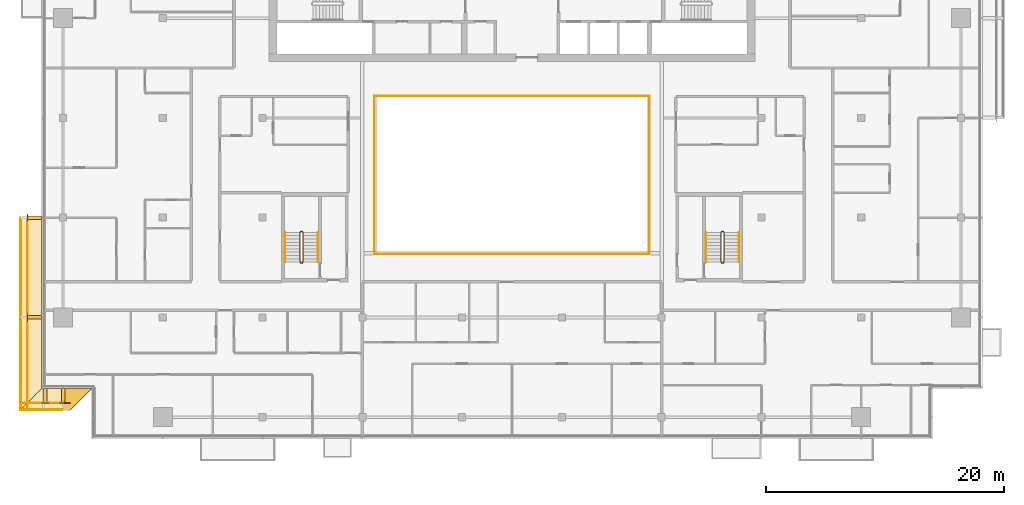
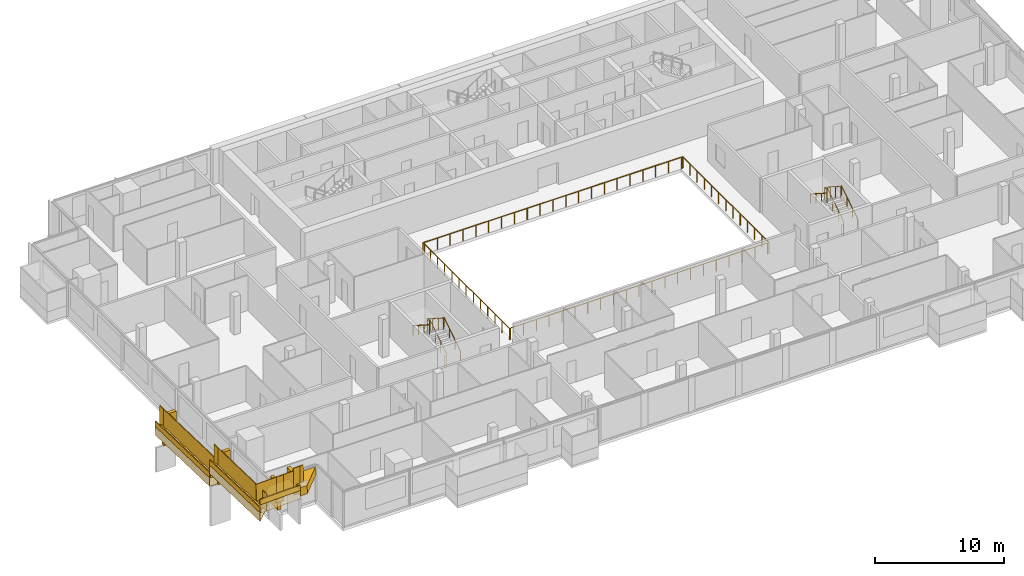
# One storey, part 27 of 30: 18 railings, 11 coverings.
"""IFC4 building model written with IfcOpenShell, lengths in metres."""

from ifc_helpers import new_model, si_unit, direction, frame, origin, origin_2d, place, context, subcontext, project, spatial, polyline, rectangle, circle, outline, extrude, material, layer, layer_set, type_object, element, save


model = new_model("IFC4")

# Units and contexts
model_context = context("Model", 3, precision=1e-05, world=origin(), true_north=direction((0.0, 1.0)))
body_context = subcontext(model_context, "Body", "Model", "MODEL_VIEW")
ifc_project = project(units=[si_unit("LENGTHUNIT", "METRE"), si_unit("AREAUNIT", "SQUARE_METRE"), si_unit("VOLUMEUNIT", "CUBIC_METRE"), si_unit("PLANEANGLEUNIT", "RADIAN"), si_unit("MASSUNIT", "GRAM", prefix="KILO")], contexts=[model_context])

# Site, building, storey
site_placement = place(None, origin())
site = spatial("IfcSite", under=ifc_project, at=site_placement, CompositionType="ELEMENT")
building_placement = place(site_placement, origin())
building = spatial("IfcBuilding", under=site, at=building_placement, Name="Saffron Gate Tower", CompositionType="ELEMENT")
storey_placement = place(building_placement, frame((0.0, 0.0, 223.5)))
storey = spatial("IfcBuildingStorey", under=building, at=storey_placement, Name="L54", CompositionType="ELEMENT", Elevation=223.5)

# Railings
ifc_material_1 = material(Name="Stainless steel and laminated glass", Category="steel")
railing_type_1 = type_object("IfcRailingType", Name="AG1 Atrium edge guard 1100", PredefinedType="GUARDRAIL", material=ifc_material_1)
railing_1_placement = place(storey_placement, frame((76.02001953125, 45.5400390625, 0.0)))
element("IfcRailing", 1, at=railing_1_placement, inside=storey, type_object=railing_type_1, Name="Guard D2-1", PredefinedType="GUARDRAIL", context=body_context, shape_type="SweptSolid", body=[
    extrude(circle(Radius=0.02392578125, at=origin_2d()), frame((0.0, 0.0, 1.076171875), z_axis=(0.0, 1.0, 0.0), x_axis=(-1.0, 0.0, 0.0)), (0.0, 0.0, 1.0), 13.320068359375),
    extrude(circle(Radius=0.02099609375, at=origin_2d()), origin(), (0.0, 0.0, 1.0), 1.052001953125),
    extrude(circle(Radius=0.02099609375, at=origin_2d()), frame((0.0, 1.110107421875, 0.0)), (0.0, 0.0, 1.0), 1.052001953125),
    extrude(circle(Radius=0.02099609375, at=origin_2d()), frame((0.0, 2.219970703125, 0.0)), (0.0, 0.0, 1.0), 1.052001953125),
    extrude(circle(Radius=0.02099609375, at=origin_2d()), frame((0.0, 3.330078125, 0.0)), (0.0, 0.0, 1.0), 1.052001953125),
    extrude(circle(Radius=0.02099609375, at=origin_2d()), frame((0.0, 4.43994140625, 0.0)), (0.0, 0.0, 1.0), 1.052001953125),
    extrude(circle(Radius=0.02099609375, at=origin_2d()), frame((0.0, 5.550048828125, 0.0)), (0.0, 0.0, 1.0), 1.052001953125),
    extrude(circle(Radius=0.02099609375, at=origin_2d()), frame((0.0, 6.66015625, 0.0)), (0.0, 0.0, 1.0), 1.052001953125),
    extrude(circle(Radius=0.02099609375, at=origin_2d()), frame((0.0, 7.77001953125, 0.0)), (0.0, 0.0, 1.0), 1.052001953125),
    extrude(circle(Radius=0.02099609375, at=origin_2d()), frame((0.0, 8.880126953125, 0.0)), (0.0, 0.0, 1.0), 1.052001953125),
    extrude(circle(Radius=0.02099609375, at=origin_2d()), frame((0.0, 9.989990234375, 0.0)), (0.0, 0.0, 1.0), 1.052001953125),
    extrude(circle(Radius=0.02099609375, at=origin_2d()), frame((0.0, 11.10009765625, 0.0)), (0.0, 0.0, 1.0), 1.052001953125),
    extrude(circle(Radius=0.02099609375, at=origin_2d()), frame((0.0, 12.2099609375, 0.0)), (0.0, 0.0, 1.0), 1.052001953125),
    extrude(circle(Radius=0.02099609375, at=origin_2d()), frame((0.0, 13.320068359375, 0.0)), (0.0, 0.0, 1.0), 1.052001953125),
])
railing_2_placement = place(storey_placement, frame((76.139892578125, 58.860107421875, 0.0)))
element("IfcRailing", 2, at=railing_2_placement, inside=storey, type_object=railing_type_1, Name="Guard D2-2", PredefinedType="GUARDRAIL", context=body_context, shape_type="SweptSolid", body=[
    extrude(circle(Radius=0.02392578125, at=origin_2d()), frame((0.0, 0.0, 1.076171875), z_axis=(1.0, 0.0, 0.0), x_axis=(0.0, 1.0, 0.0)), (0.0, 0.0, 1.0), 22.920166015625),
    extrude(circle(Radius=0.02099609375, at=origin_2d()), origin(), (0.0, 0.0, 1.0), 1.052001953125),
    extrude(circle(Radius=0.02099609375, at=origin_2d()), frame((1.14599609375, 0.0, 0.0)), (0.0, 0.0, 1.0), 1.052001953125),
    extrude(circle(Radius=0.02099609375, at=origin_2d()), frame((2.2919921875, 0.0, 0.0)), (0.0, 0.0, 1.0), 1.052001953125),
    extrude(circle(Radius=0.02099609375, at=origin_2d()), frame((3.43798828125, 0.0, 0.0)), (0.0, 0.0, 1.0), 1.052001953125),
    extrude(circle(Radius=0.02099609375, at=origin_2d()), frame((4.583984375, 0.0, 0.0)), (0.0, 0.0, 1.0), 1.052001953125),
    extrude(circle(Radius=0.02099609375, at=origin_2d()), frame((5.72998046875, 0.0, 0.0)), (0.0, 0.0, 1.0), 1.052001953125),
    extrude(circle(Radius=0.02099609375, at=origin_2d()), frame((6.8759765625, 0.0, 0.0)), (0.0, 0.0, 1.0), 1.052001953125),
    extrude(circle(Radius=0.02099609375, at=origin_2d()), frame((8.02197265625, 0.0, 0.0)), (0.0, 0.0, 1.0), 1.052001953125),
    extrude(circle(Radius=0.02099609375, at=origin_2d()), frame((9.16796875, 0.0, 0.0)), (0.0, 0.0, 1.0), 1.052001953125),
    extrude(circle(Radius=0.02099609375, at=origin_2d()), frame((10.31396484375, 0.0, 0.0)), (0.0, 0.0, 1.0), 1.052001953125),
    extrude(circle(Radius=0.02099609375, at=origin_2d()), frame((11.4599609375, 0.0, 0.0)), (0.0, 0.0, 1.0), 1.052001953125),
    extrude(circle(Radius=0.02099609375, at=origin_2d()), frame((12.606201171875, 0.0, 0.0)), (0.0, 0.0, 1.0), 1.052001953125),
    extrude(circle(Radius=0.02099609375, at=origin_2d()), frame((13.752197265625, 0.0, 0.0)), (0.0, 0.0, 1.0), 1.052001953125),
    extrude(circle(Radius=0.02099609375, at=origin_2d()), frame((14.898193359375, 0.0, 0.0)), (0.0, 0.0, 1.0), 1.052001953125),
    extrude(circle(Radius=0.02099609375, at=origin_2d()), frame((16.044189453125, 0.0, 0.0)), (0.0, 0.0, 1.0), 1.052001953125),
    extrude(circle(Radius=0.02099609375, at=origin_2d()), frame((17.190185546875, 0.0, 0.0)), (0.0, 0.0, 1.0), 1.052001953125),
    extrude(circle(Radius=0.02099609375, at=origin_2d()), frame((18.336181640625, 0.0, 0.0)), (0.0, 0.0, 1.0), 1.052001953125),
    extrude(circle(Radius=0.02099609375, at=origin_2d()), frame((19.482177734375, 0.0, 0.0)), (0.0, 0.0, 1.0), 1.052001953125),
    extrude(circle(Radius=0.02099609375, at=origin_2d()), frame((20.628173828125, 0.0, 0.0)), (0.0, 0.0, 1.0), 1.052001953125),
    extrude(circle(Radius=0.02099609375, at=origin_2d()), frame((21.774169921875, 0.0, 0.0)), (0.0, 0.0, 1.0), 1.052001953125),
    extrude(circle(Radius=0.02099609375, at=origin_2d()), frame((22.920166015625, 0.0, 0.0)), (0.0, 0.0, 1.0), 1.052001953125),
])
railing_3_placement = place(storey_placement, frame((99.179931640625, 58.860107421875, 0.0)))
element("IfcRailing", 3, at=railing_3_placement, inside=storey, type_object=railing_type_1, Name="Guard D2-3", PredefinedType="GUARDRAIL", context=body_context, shape_type="SweptSolid", body=[
    extrude(circle(Radius=0.02392578125, at=origin_2d()), frame((0.0, 0.0, 1.076171875), z_axis=(0.0, -1.0, 0.0), x_axis=(1.0, 0.0, 0.0)), (0.0, 0.0, 1.0), 13.320068359375),
    extrude(circle(Radius=0.02099609375, at=origin_2d()), origin(), (0.0, 0.0, 1.0), 1.052001953125),
    extrude(circle(Radius=0.02099609375, at=origin_2d()), frame((0.0, -1.110107421875, 0.0)), (0.0, 0.0, 1.0), 1.052001953125),
    extrude(circle(Radius=0.02099609375, at=origin_2d()), frame((0.0, -2.219970703125, 0.0)), (0.0, 0.0, 1.0), 1.052001953125),
    extrude(circle(Radius=0.02099609375, at=origin_2d()), frame((0.0, -3.330078125, 0.0)), (0.0, 0.0, 1.0), 1.052001953125),
    extrude(circle(Radius=0.02099609375, at=origin_2d()), frame((0.0, -4.43994140625, 0.0)), (0.0, 0.0, 1.0), 1.052001953125),
    extrude(circle(Radius=0.02099609375, at=origin_2d()), frame((0.0, -5.550048828125, 0.0)), (0.0, 0.0, 1.0), 1.052001953125),
    extrude(circle(Radius=0.02099609375, at=origin_2d()), frame((0.0, -6.66015625, 0.0)), (0.0, 0.0, 1.0), 1.052001953125),
    extrude(circle(Radius=0.02099609375, at=origin_2d()), frame((0.0, -7.77001953125, 0.0)), (0.0, 0.0, 1.0), 1.052001953125),
    extrude(circle(Radius=0.02099609375, at=origin_2d()), frame((0.0, -8.880126953125, 0.0)), (0.0, 0.0, 1.0), 1.052001953125),
    extrude(circle(Radius=0.02099609375, at=origin_2d()), frame((0.0, -9.989990234375, 0.0)), (0.0, 0.0, 1.0), 1.052001953125),
    extrude(circle(Radius=0.02099609375, at=origin_2d()), frame((0.0, -11.10009765625, 0.0)), (0.0, 0.0, 1.0), 1.052001953125),
    extrude(circle(Radius=0.02099609375, at=origin_2d()), frame((0.0, -12.2099609375, 0.0)), (0.0, 0.0, 1.0), 1.052001953125),
    extrude(circle(Radius=0.02099609375, at=origin_2d()), frame((0.0, -13.320068359375, 0.0)), (0.0, 0.0, 1.0), 1.052001953125),
])
railing_4_placement = place(storey_placement, frame((99.06005859375, 45.5400390625, 0.0)))
element("IfcRailing", 4, at=railing_4_placement, inside=storey, type_object=railing_type_1, Name="Guard D2-4", PredefinedType="GUARDRAIL", context=body_context, shape_type="SweptSolid", body=[
    extrude(circle(Radius=0.02392578125, at=origin_2d()), frame((0.0, 0.0, 1.076171875), z_axis=(-1.0, 0.0, 0.0), x_axis=(0.0, -1.0, 0.0)), (0.0, 0.0, 1.0), 22.920166015625),
    extrude(circle(Radius=0.02099609375, at=origin_2d()), origin(), (0.0, 0.0, 1.0), 1.052001953125),
    extrude(circle(Radius=0.02099609375, at=origin_2d()), frame((-1.14599609375, 0.0, 0.0)), (0.0, 0.0, 1.0), 1.052001953125),
    extrude(circle(Radius=0.02099609375, at=origin_2d()), frame((-2.2919921875, 0.0, 0.0)), (0.0, 0.0, 1.0), 1.052001953125),
    extrude(circle(Radius=0.02099609375, at=origin_2d()), frame((-3.43798828125, 0.0, 0.0)), (0.0, 0.0, 1.0), 1.052001953125),
    extrude(circle(Radius=0.02099609375, at=origin_2d()), frame((-4.583984375, 0.0, 0.0)), (0.0, 0.0, 1.0), 1.052001953125),
    extrude(circle(Radius=0.02099609375, at=origin_2d()), frame((-5.72998046875, 0.0, 0.0)), (0.0, 0.0, 1.0), 1.052001953125),
    extrude(circle(Radius=0.02099609375, at=origin_2d()), frame((-6.8759765625, 0.0, 0.0)), (0.0, 0.0, 1.0), 1.052001953125),
    extrude(circle(Radius=0.02099609375, at=origin_2d()), frame((-8.02197265625, 0.0, 0.0)), (0.0, 0.0, 1.0), 1.052001953125),
    extrude(circle(Radius=0.02099609375, at=origin_2d()), frame((-9.16796875, 0.0, 0.0)), (0.0, 0.0, 1.0), 1.052001953125),
    extrude(circle(Radius=0.02099609375, at=origin_2d()), frame((-10.31396484375, 0.0, 0.0)), (0.0, 0.0, 1.0), 1.052001953125),
    extrude(circle(Radius=0.02099609375, at=origin_2d()), frame((-11.4599609375, 0.0, 0.0)), (0.0, 0.0, 1.0), 1.052001953125),
    extrude(circle(Radius=0.02099609375, at=origin_2d()), frame((-12.606201171875, 0.0, 0.0)), (0.0, 0.0, 1.0), 1.052001953125),
    extrude(circle(Radius=0.02099609375, at=origin_2d()), frame((-13.752197265625, 0.0, 0.0)), (0.0, 0.0, 1.0), 1.052001953125),
    extrude(circle(Radius=0.02099609375, at=origin_2d()), frame((-14.898193359375, 0.0, 0.0)), (0.0, 0.0, 1.0), 1.052001953125),
    extrude(circle(Radius=0.02099609375, at=origin_2d()), frame((-16.044189453125, 0.0, 0.0)), (0.0, 0.0, 1.0), 1.052001953125),
    extrude(circle(Radius=0.02099609375, at=origin_2d()), frame((-17.190185546875, 0.0, 0.0)), (0.0, 0.0, 1.0), 1.052001953125),
    extrude(circle(Radius=0.02099609375, at=origin_2d()), frame((-18.336181640625, 0.0, 0.0)), (0.0, 0.0, 1.0), 1.052001953125),
    extrude(circle(Radius=0.02099609375, at=origin_2d()), frame((-19.482177734375, 0.0, 0.0)), (0.0, 0.0, 1.0), 1.052001953125),
    extrude(circle(Radius=0.02099609375, at=origin_2d()), frame((-20.628173828125, 0.0, 0.0)), (0.0, 0.0, 1.0), 1.052001953125),
    extrude(circle(Radius=0.02099609375, at=origin_2d()), frame((-21.774169921875, 0.0, 0.0)), (0.0, 0.0, 1.0), 1.052001953125),
    extrude(circle(Radius=0.02099609375, at=origin_2d()), frame((-22.920166015625, 0.0, 0.0)), (0.0, 0.0, 1.0), 1.052001953125),
])
railing_type_2 = type_object("IfcRailingType", Name="CR1 Stair guard 1100", PredefinedType="GUARDRAIL", material=ifc_material_1)
railing_5_placement = place(storey_placement, frame((69.800048828125, 44.800048828125, 0.0)))
element("IfcRailing", 5, at=railing_5_placement, inside=storey, type_object=railing_type_2, Name="L54 ST-D stair guard 1", PredefinedType="GUARDRAIL", context=body_context, shape_type="SweptSolid", body=[
    extrude(circle(Radius=0.02392578125, at=origin_2d()), frame((0.0, 0.0, 1.076171875), z_axis=(1.0, 0.0, 0.0), x_axis=(0.0, 1.0, 0.0)), (0.0, 0.0, 1.0), 0.14990234375),
    extrude(circle(Radius=0.02392578125, at=origin_2d()), frame((0.14990234375, 0.0, 1.076171875), z_axis=(0.258847668887, 0.258847668887, 0.930588936439), x_axis=(-0.707106781187, 0.707106781187, 0.0)), (0.0, 0.0, 1.0), 0.193359375),
    extrude(circle(Radius=0.02392578125, at=origin_2d()), frame((0.199951171875, 0.050048828125, 1.255859375), z_axis=(0.0, 0.841162588446, 0.540782303519), x_axis=(-1.0, 0.0, 0.0)), (0.0, 0.0, 1.0), 2.995849609375),
    extrude(circle(Radius=0.02392578125, at=origin_2d()), frame((0.199951171875, 2.570068359375, 2.8759765625), z_axis=(-0.708833529934, 0.705375805398, 0.0), x_axis=(-0.705375805398, -0.708833529934, 0.0)), (0.0, 0.0, 1.0), 0.070556640625),
    extrude(circle(Radius=0.02392578125, at=origin_2d()), frame((0.14990234375, 2.619873046875, 2.8759765625), z_axis=(-1.0, 0.0, 0.0), x_axis=(0.0, -1.0, 0.0)), (0.0, 0.0, 1.0), 0.14990234375),
    extrude(circle(Radius=0.02392578125, at=origin_2d()), frame((0.0, 2.619873046875, 2.8759765625), z_axis=(-0.258932105505, -0.257669022063, 0.930892496375), x_axis=(0.705375805398, -0.708833529934, 0.0)), (0.0, 0.0, 1.0), 0.193359375),
    extrude(circle(Radius=0.02392578125, at=origin_2d()), frame((-0.050048828125, 2.570068359375, 3.05615234375), z_axis=(0.0, -0.841162588446, 0.540782303519), x_axis=(1.0, 0.0, 0.0)), (0.0, 0.0, 1.0), 2.995849609375),
    extrude(circle(Radius=0.02099609375, at=origin_2d()), origin(), (0.0, 0.0, 1.0), 1.052001953125),
    extrude(circle(Radius=0.02099609375, at=origin_2d()), frame((0.14990234375, 0.0, 0.0)), (0.0, 0.0, 1.0), 1.052001953125),
    extrude(circle(Radius=0.02099609375, at=origin_2d()), frame((0.199951171875, 0.050048828125, 0.179931640625)), (0.0, 0.0, 1.0), 1.052001953125),
    extrude(circle(Radius=0.02099609375, at=origin_2d()), frame((0.199951171875, 0.89013671875, 0.719970703125)), (0.0, 0.0, 1.0), 1.052001953125),
    extrude(circle(Radius=0.02099609375, at=origin_2d()), frame((0.199951171875, 1.72998046875, 1.260009765625)), (0.0, 0.0, 1.0), 1.052001953125),
    extrude(circle(Radius=0.02099609375, at=origin_2d()), frame((0.199951171875, 2.570068359375, 1.800048828125)), (0.0, 0.0, 1.0), 1.052001953125),
    extrude(circle(Radius=0.02099609375, at=origin_2d()), frame((0.14990234375, 2.619873046875, 1.800048828125)), (0.0, 0.0, 1.0), 1.052001953125),
    extrude(circle(Radius=0.02099609375, at=origin_2d()), frame((0.0, 2.619873046875, 1.800048828125)), (0.0, 0.0, 1.0), 1.052001953125),
    extrude(circle(Radius=0.02099609375, at=origin_2d()), frame((-0.050048828125, 2.570068359375, 1.97998046875)), (0.0, 0.0, 1.0), 1.052001953125),
    extrude(circle(Radius=0.02099609375, at=origin_2d()), frame((-0.050048828125, 1.72998046875, 2.52001953125)), (0.0, 0.0, 1.0), 1.052001953125),
    extrude(circle(Radius=0.02099609375, at=origin_2d()), frame((-0.050048828125, 0.89013671875, 3.06005859375)), (0.0, 0.0, 1.0), 1.052001953125),
    extrude(circle(Radius=0.02099609375, at=origin_2d()), frame((-0.050048828125, 0.050048828125, 3.60009765625)), (0.0, 0.0, 1.0), 1.052001953125),
])
railing_6_placement = place(storey_placement, frame((105.25, 44.800048828125, 0.0)))
element("IfcRailing", 6, at=railing_6_placement, inside=storey, type_object=railing_type_2, Name="L54 ST-E stair guard 1", PredefinedType="GUARDRAIL", context=body_context, shape_type="SweptSolid", body=[
    extrude(circle(Radius=0.02392578125, at=origin_2d()), frame((0.0, 0.0, 1.076171875), z_axis=(1.0, 0.0, 0.0), x_axis=(0.0, 1.0, 0.0)), (0.0, 0.0, 1.0), 0.14990234375),
    extrude(circle(Radius=0.02392578125, at=origin_2d()), frame((0.14990234375, 0.0, 1.076171875), z_axis=(0.258847668887, 0.258847668887, 0.930588936439), x_axis=(-0.707106781187, 0.707106781187, 0.0)), (0.0, 0.0, 1.0), 0.193359375),
    extrude(circle(Radius=0.02392578125, at=origin_2d()), frame((0.199951171875, 0.050048828125, 1.255859375), z_axis=(0.0, 0.841162588446, 0.540782303519), x_axis=(-1.0, 0.0, 0.0)), (0.0, 0.0, 1.0), 2.995849609375),
    extrude(circle(Radius=0.02392578125, at=origin_2d()), frame((0.199951171875, 2.570068359375, 2.8759765625), z_axis=(-0.708833529934, 0.705375805398, 0.0), x_axis=(-0.705375805398, -0.708833529934, 0.0)), (0.0, 0.0, 1.0), 0.070556640625),
    extrude(circle(Radius=0.02392578125, at=origin_2d()), frame((0.14990234375, 2.619873046875, 2.8759765625), z_axis=(-1.0, 0.0, 0.0), x_axis=(0.0, -1.0, 0.0)), (0.0, 0.0, 1.0), 0.14990234375),
    extrude(circle(Radius=0.02392578125, at=origin_2d()), frame((0.0, 2.619873046875, 2.8759765625), z_axis=(-0.258932105505, -0.257669022063, 0.930892496375), x_axis=(0.705375805398, -0.708833529934, 0.0)), (0.0, 0.0, 1.0), 0.193359375),
    extrude(circle(Radius=0.02392578125, at=origin_2d()), frame((-0.050048828125, 2.570068359375, 3.05615234375), z_axis=(0.0, -0.841162588446, 0.540782303519), x_axis=(1.0, 0.0, 0.0)), (0.0, 0.0, 1.0), 2.995849609375),
    extrude(circle(Radius=0.02099609375, at=origin_2d()), origin(), (0.0, 0.0, 1.0), 1.052001953125),
    extrude(circle(Radius=0.02099609375, at=origin_2d()), frame((0.14990234375, 0.0, 0.0)), (0.0, 0.0, 1.0), 1.052001953125),
    extrude(circle(Radius=0.02099609375, at=origin_2d()), frame((0.199951171875, 0.050048828125, 0.179931640625)), (0.0, 0.0, 1.0), 1.052001953125),
    extrude(circle(Radius=0.02099609375, at=origin_2d()), frame((0.199951171875, 0.89013671875, 0.719970703125)), (0.0, 0.0, 1.0), 1.052001953125),
    extrude(circle(Radius=0.02099609375, at=origin_2d()), frame((0.199951171875, 1.72998046875, 1.260009765625)), (0.0, 0.0, 1.0), 1.052001953125),
    extrude(circle(Radius=0.02099609375, at=origin_2d()), frame((0.199951171875, 2.570068359375, 1.800048828125)), (0.0, 0.0, 1.0), 1.052001953125),
    extrude(circle(Radius=0.02099609375, at=origin_2d()), frame((0.14990234375, 2.619873046875, 1.800048828125)), (0.0, 0.0, 1.0), 1.052001953125),
    extrude(circle(Radius=0.02099609375, at=origin_2d()), frame((0.0, 2.619873046875, 1.800048828125)), (0.0, 0.0, 1.0), 1.052001953125),
    extrude(circle(Radius=0.02099609375, at=origin_2d()), frame((-0.050048828125, 2.570068359375, 1.97998046875)), (0.0, 0.0, 1.0), 1.052001953125),
    extrude(circle(Radius=0.02099609375, at=origin_2d()), frame((-0.050048828125, 1.72998046875, 2.52001953125)), (0.0, 0.0, 1.0), 1.052001953125),
    extrude(circle(Radius=0.02099609375, at=origin_2d()), frame((-0.050048828125, 0.89013671875, 3.06005859375)), (0.0, 0.0, 1.0), 1.052001953125),
    extrude(circle(Radius=0.02099609375, at=origin_2d()), frame((-0.050048828125, 0.050048828125, 3.60009765625)), (0.0, 0.0, 1.0), 1.052001953125),
])
ifc_material_2 = material(Name="Stainless steel", Category="steel")
railing_type_3 = type_object("IfcRailingType", Name="CR2 Stair handrail 900", PredefinedType="HANDRAIL", material=ifc_material_2)
railing_7_placement = place(storey_placement, frame((71.25, 44.85009765625, 0.179931640625)))
element("IfcRailing", 7, at=railing_7_placement, inside=storey, type_object=railing_type_3, Name="L54 ST-D stair handrail 1", PredefinedType="HANDRAIL", context=body_context, shape_type="SweptSolid", body=[
    extrude(circle(Radius=0.02392578125, at=origin_2d()), frame((0.0, 0.0, 0.8759765625), z_axis=(0.0, 0.841162588446, 0.540782303519), x_axis=(-1.0, 0.0, 0.0)), (0.0, 0.0, 1.0), 2.995849609375),
    extrude(circle(Radius=0.02099609375, at=origin_2d()), origin(), (0.0, 0.0, 1.0), 0.851806640625),
    extrude(circle(Radius=0.02099609375, at=origin_2d()), frame((0.0, 0.840087890625, 0.5400390625)), (0.0, 0.0, 1.0), 0.851806640625),
    extrude(circle(Radius=0.02099609375, at=origin_2d()), frame((0.0, 1.679931640625, 1.080078125)), (0.0, 0.0, 1.0), 0.851806640625),
    extrude(circle(Radius=0.02099609375, at=origin_2d()), frame((0.0, 2.52001953125, 1.6201171875)), (0.0, 0.0, 1.0), 0.851806640625),
])
railing_8_placement = place(storey_placement, frame((68.5, 47.3701171875, 1.97998046875)))
element("IfcRailing", 8, at=railing_8_placement, inside=storey, type_object=railing_type_3, Name="L54 ST-D stair handrail 2", PredefinedType="HANDRAIL", context=body_context, shape_type="SweptSolid", body=[
    extrude(circle(Radius=0.02392578125, at=origin_2d()), frame((0.0, 0.0, 0.8759765625), z_axis=(0.0, -0.841162588446, 0.540782303519), x_axis=(1.0, 0.0, 0.0)), (0.0, 0.0, 1.0), 2.995849609375),
    extrude(circle(Radius=0.02099609375, at=origin_2d()), origin(), (0.0, 0.0, 1.0), 0.851806640625),
    extrude(circle(Radius=0.02099609375, at=origin_2d()), frame((0.0, -0.840087890625, 0.5400390625)), (0.0, 0.0, 1.0), 0.851806640625),
    extrude(circle(Radius=0.02099609375, at=origin_2d()), frame((0.0, -1.679931640625, 1.080078125)), (0.0, 0.0, 1.0), 0.851806640625),
    extrude(circle(Radius=0.02099609375, at=origin_2d()), frame((0.0, -2.52001953125, 1.6201171875)), (0.0, 0.0, 1.0), 0.851806640625),
])
railing_9_placement = place(storey_placement, frame((106.699951171875, 44.85009765625, 0.179931640625)))
element("IfcRailing", 9, at=railing_9_placement, inside=storey, type_object=railing_type_3, Name="L54 ST-E stair handrail 1", PredefinedType="HANDRAIL", context=body_context, shape_type="SweptSolid", body=[
    extrude(circle(Radius=0.02392578125, at=origin_2d()), frame((0.0, 0.0, 0.8759765625), z_axis=(0.0, 0.841162588446, 0.540782303519), x_axis=(-1.0, 0.0, 0.0)), (0.0, 0.0, 1.0), 2.995849609375),
    extrude(circle(Radius=0.02099609375, at=origin_2d()), origin(), (0.0, 0.0, 1.0), 0.851806640625),
    extrude(circle(Radius=0.02099609375, at=origin_2d()), frame((0.0, 0.840087890625, 0.5400390625)), (0.0, 0.0, 1.0), 0.851806640625),
    extrude(circle(Radius=0.02099609375, at=origin_2d()), frame((0.0, 1.679931640625, 1.080078125)), (0.0, 0.0, 1.0), 0.851806640625),
    extrude(circle(Radius=0.02099609375, at=origin_2d()), frame((0.0, 2.52001953125, 1.6201171875)), (0.0, 0.0, 1.0), 0.851806640625),
])
railing_10_placement = place(storey_placement, frame((103.949951171875, 47.3701171875, 1.97998046875)))
element("IfcRailing", 10, at=railing_10_placement, inside=storey, type_object=railing_type_3, Name="L54 ST-E stair handrail 2", PredefinedType="HANDRAIL", context=body_context, shape_type="SweptSolid", body=[
    extrude(circle(Radius=0.02392578125, at=origin_2d()), frame((0.0, 0.0, 0.8759765625), z_axis=(0.0, -0.841162588446, 0.540782303519), x_axis=(1.0, 0.0, 0.0)), (0.0, 0.0, 1.0), 2.995849609375),
    extrude(circle(Radius=0.02099609375, at=origin_2d()), origin(), (0.0, 0.0, 1.0), 0.851806640625),
    extrude(circle(Radius=0.02099609375, at=origin_2d()), frame((0.0, -0.840087890625, 0.5400390625)), (0.0, 0.0, 1.0), 0.851806640625),
    extrude(circle(Radius=0.02099609375, at=origin_2d()), frame((0.0, -1.679931640625, 1.080078125)), (0.0, 0.0, 1.0), 0.851806640625),
    extrude(circle(Radius=0.02099609375, at=origin_2d()), frame((0.0, -2.52001953125, 1.6201171875)), (0.0, 0.0, 1.0), 0.851806640625),
])

# Coverings
ifc_material_3 = material(Name="Timber, thermally modified ash", Category="wood")
ifc_layer_1 = layer(ifc_material_3, 0.800048828125)
ifc_layer_set_1 = layer_set([ifc_layer_1], Name="LD1 ledge timber")
covering_type_1 = type_object("IfcCoveringType", Name="LD1 ledge timber", PredefinedType="CLADDING", material=ifc_layer_set_1)
covering_1_placement = place(storey_placement, frame((48.0, 48.60009765625, 0.4140625), z_axis=(0.0, 0.028790339263, 0.999585472266), x_axis=(0.0, -0.999585472266, 0.028790339263)))
element("IfcCovering", 11, at=covering_1_placement, inside=storey, type_object=covering_type_1, Name="LEDGE", PredefinedType="CLADDING", context=body_context, shape_type="SweptSolid", body=[
    extrude(outline(polyline([(0.0, 0.0), (8.403630022085892, 0.0), (8.403630022085892, -1.800048828125), (0.0, -1.800048828125), (0.0, 0.0)])), origin(), (0.0, 0.0, -1.0), 0.800048828125),
])
covering_2_placement = place(storey_placement, frame((48.0, 40.199951171875, 1.8564453125), z_axis=(-2.391759e-05, 0.028789477025, 0.999585496814), x_axis=(1.72e-10, -0.9995854971, 0.028789477033)))
element("IfcCovering", 12, at=covering_2_placement, inside=storey, type_object=covering_type_1, Name="LEDGE", PredefinedType="CLADDING", context=body_context, shape_type="SweptSolid", body=[
    extrude(outline(polyline([(0.0, 0.0), (6.002489288687248, 8.470329472543003e-22), (7.80328207139786, -1.8000488299785034), (-3.0879623774719253e-10, -1.8000488276101398), (0.0, 0.0)])), origin(), (0.0, 0.0, -1.0), 0.800048828125),
])
covering_3_placement = place(storey_placement, frame((48.0, 34.199951171875, 2.88671875), z_axis=(-0.028786835276, -4.5191264e-05, 0.999585572161), x_axis=(0.999585573182, -2.041e-09, 0.028786835305)))
element("IfcCovering", 13, at=covering_3_placement, inside=storey, type_object=covering_type_1, Name="LEDGE", PredefinedType="CLADDING", context=body_context, shape_type="SweptSolid", body=[
    extrude(outline(polyline([(0.0, 0.0), (1.8007927832406818, 0.0), (1.8007927869153135, -1.800048826286925), (-1.8007998076020133, -1.8000488373153904), (0.0, 0.0)])), origin(), (0.0, 0.0, -1.0), 0.800048828125),
])
covering_4_placement = place(storey_placement, frame((49.800048828125, 34.199951171875, 3.19580078125), z_axis=(-0.028798988267, 2.8677152e-05, 0.999585222706), x_axis=(0.999585223117, 6.17e-10, 0.028798988279)))
element("IfcCovering", 14, at=covering_4_placement, inside=storey, type_object=covering_type_1, Name="LEDGE", PredefinedType="CLADDING", context=body_context, shape_type="SweptSolid", body=[
    extrude(outline(polyline([(0.0, 0.0), (2.400896693585025, 4.235164736271502e-22), (0.6001039103565923, -1.8000488292351675), (-1.1098572600196767e-09, -1.8000488273848385), (0.0, 0.0)])), origin(), (0.0, 0.0, -1.0), 0.800048828125),
])
ifc_layer_2 = layer(ifc_material_3, 0.080078125)
ifc_layer_set_2 = layer_set([ifc_layer_2], Name="LD2 ledge planter trough")
covering_type_2 = type_object("IfcCoveringType", Name="LD2 ledge planter trough", PredefinedType="CLADDING", material=ifc_layer_set_2)
covering_5_placement = place(storey_placement, frame((46.199951171875, 48.60009765625, 0.4140625), z_axis=(-1.0, 0.0, 0.0), x_axis=(0.0, -0.999585472266, 0.028790339263)))
element("IfcCovering", 15, at=covering_5_placement, inside=storey, type_object=covering_type_2, Name="LEDGE planter trough", PredefinedType="CLADDING", context=body_context, shape_type="SweptSolid", body=[
    extrude(outline(polyline([(0.0, 0.0), (8.403630022085892, 0.0), (8.418025191717298, 0.4997927361329725), (0.014395169631405694, 0.4997927361329725), (0.0, 0.0)])), origin(), (0.0, 0.0, -1.0), 0.080078125),
])
covering_6_placement = place(storey_placement, frame((46.199951171875, 40.199951171875, 1.8564453125), z_axis=(-1.0, 0.0, 0.0), x_axis=(0.0, -0.999585655924, 0.028783962047)))
element("IfcCovering", 16, at=covering_6_placement, inside=storey, type_object=covering_type_2, Name="LEDGE planter trough", PredefinedType="CLADDING", context=body_context, shape_type="SweptSolid", body=[
    extrude(outline(polyline([(0.0, 0.0), (7.803282071825423, 2.7755575615628914e-17), (7.817674052849086, 0.4997928279619612), (0.014391981023662846, 0.4997928279619612), (0.0, 0.0)])), origin(), (0.0, 0.0, -1.0), 0.080078125),
])
covering_7_placement = place(storey_placement, frame((46.199951171875, 32.39990234375, 2.834716796875), z_axis=(0.0, -1.0, 0.0), x_axis=(0.99958492274, 0.0, 0.028809412191)))
element("IfcCovering", 17, at=covering_7_placement, inside=storey, type_object=covering_type_2, Name="LEDGE planter trough", PredefinedType="CLADDING", context=body_context, shape_type="SweptSolid", body=[
    extrude(outline(polyline([(0.0, 0.0), (3.601592595435983, 0.0), (3.6159973015313485, 0.4997924613700232), (0.014404706095365512, 0.4997924613700232), (0.0, 0.0)])), origin(), (0.0, 0.0, -1.0), 0.080078125),
])
ifc_layer_3 = layer(ifc_material_3, 0.300048828125)
ifc_layer_set_3 = layer_set([ifc_layer_3], Name="LD3 ledge riser fin")
covering_type_3 = type_object("IfcCoveringType", Name="LD3 ledge riser fin", PredefinedType="CLADDING", material=ifc_layer_set_3)
for number, where, z_axis, x_axis, name in (
    (18, (47.43994140625, 48.60009765625, -1.586181640625), (0.0, 0.0, 1.0), (0.0, -1.0, 0.0), "LEDGE riser fin"),
    (19, (47.43994140625, 40.199951171875, -0.14404296875), (0.0, 0.0, 1.0), (0.0, -1.0, 0.0), "LEDGE riser fin"),
):
    element("IfcCovering", number, at=place(storey_placement, frame(where, z_axis=z_axis, x_axis=x_axis)), inside=storey, type_object=covering_type_3, Name=name, PredefinedType="CLADDING", context=body_context, shape_type="SweptSolid", body=[
        extrude(rectangle(XDim=0.300048828125, YDim=1.1201171875, at=origin_2d()), origin(), (0.0, 0.0, 1.0), 2.900390625),
    ])
covering_8_placement = place(storey_placement, frame((48.300048828125, 33.639892578125, 1.2294921875), z_axis=(0.0, 0.0, 1.0), x_axis=(1.0, 0.0, 0.0)))
element("IfcCovering", 20, at=covering_8_placement, inside=storey, type_object=covering_type_3, Name="LEDGE riser fin", PredefinedType="CLADDING", context=body_context, shape_type="SweptSolid", body=[
    extrude(rectangle(XDim=0.300048828125, YDim=1.1201171875, at=origin_2d()), origin(), (0.0, 0.0, 1.0), 2.557373046875),
])
covering_9_placement = place(storey_placement, frame((49.800048828125, 33.639892578125, 2.138671875), z_axis=(0.0, 0.0, 1.0), x_axis=(1.0, 0.0, 0.0)))
element("IfcCovering", 21, at=covering_9_placement, inside=storey, type_object=covering_type_3, Name="LEDGE riser fin", PredefinedType="CLADDING", context=body_context, shape_type="SweptSolid", body=[
    extrude(rectangle(XDim=0.300048828125, YDim=1.1201171875, at=origin_2d()), origin(), (0.0, 0.0, 1.0), 1.957275390625),
])

# Railings
railing_type_4 = type_object("IfcRailingType", Name="LG1 ledge balustrade", PredefinedType="BALUSTRADE", material=ifc_material_3)
railing_11_placement = place(storey_placement, frame((46.800048828125, 48.60009765625, 0.4140625)))
element("IfcRailing", 22, at=railing_11_placement, inside=storey, type_object=railing_type_4, Name="LEDGE BALUSTRADE", PredefinedType="BALUSTRADE", context=body_context, shape_type="SweptSolid", body=[
    extrude(rectangle(XDim=0.06005859375, YDim=1.60009765625, at=origin_2d()), frame((0.0, 0.0, 0.800048828125), z_axis=(0.0, -0.999585472266, 0.028790339263), x_axis=(1.0, 0.0, 0.0)), (0.0, 0.0, 1.0), 8.403564453125),
])
railing_12_placement = place(storey_placement, frame((46.800048828125, 48.89990234375, -0.786376953125)))
element("IfcRailing", 23, at=railing_12_placement, inside=storey, type_object=railing_type_4, Name="LEDGE BALUSTRADE", PredefinedType="BALUSTRADE", context=body_context, shape_type="SweptSolid", body=[
    extrude(rectangle(XDim=0.06005859375, YDim=2.80029296875, at=origin_2d()), frame((0.0, 0.0, 1.400146484375), z_axis=(0.0, -1.0, 0.0), x_axis=(1.0, 0.0, 0.0)), (0.0, 0.0, 1.0), 0.599853515625),
])
railing_13_placement = place(storey_placement, frame((46.800048828125, 40.199951171875, 1.8564453125)))
element("IfcRailing", 24, at=railing_13_placement, inside=storey, type_object=railing_type_4, Name="LEDGE BALUSTRADE", PredefinedType="BALUSTRADE", context=body_context, shape_type="SweptSolid", body=[
    extrude(rectangle(XDim=0.06005859375, YDim=1.60009765625, at=origin_2d()), frame((0.0, 0.0, 0.800048828125), z_axis=(0.0, -0.999585655924, 0.028783962047), x_axis=(1.0, 0.0, 0.0)), (0.0, 0.0, 1.0), 7.80322265625),
])
railing_14_placement = place(storey_placement, frame((46.800048828125, 40.5, 0.656005859375)))
element("IfcRailing", 25, at=railing_14_placement, inside=storey, type_object=railing_type_4, Name="LEDGE BALUSTRADE", PredefinedType="BALUSTRADE", context=body_context, shape_type="SweptSolid", body=[
    extrude(rectangle(XDim=0.06005859375, YDim=2.80029296875, at=origin_2d()), frame((0.0, 0.0, 1.400146484375), z_axis=(0.0, -1.0, 0.0), x_axis=(1.0, 0.0, 0.0)), (0.0, 0.0, 1.0), 0.60009765625),
])
railing_15_placement = place(storey_placement, frame((46.199951171875, 33.0, 2.834716796875)))
element("IfcRailing", 26, at=railing_15_placement, inside=storey, type_object=railing_type_4, Name="LEDGE BALUSTRADE", PredefinedType="BALUSTRADE", context=body_context, shape_type="SweptSolid", body=[
    extrude(rectangle(XDim=0.06005859375, YDim=1.60009765625, at=origin_2d()), frame((0.0, 0.0, 0.800048828125), z_axis=(0.99958492274, 0.0, 0.028809412191), x_axis=(0.0, 1.0, 0.0)), (0.0, 0.0, 1.0), 3.6015625),
])
railing_16_placement = place(storey_placement, frame((48.0, 33.0, 2.029296875)))
element("IfcRailing", 27, at=railing_16_placement, inside=storey, type_object=railing_type_4, Name="LEDGE BALUSTRADE", PredefinedType="BALUSTRADE", context=body_context, shape_type="SweptSolid", body=[
    extrude(rectangle(XDim=0.06005859375, YDim=2.45751953125, at=origin_2d()), frame((0.0, 0.0, 1.228759765625), z_axis=(1.0, 0.0, 0.0), x_axis=(0.0, 1.0, 0.0)), (0.0, 0.0, 1.0), 0.60009765625),
])
railing_17_placement = place(storey_placement, frame((49.800048828125, 33.0, 3.19580078125)))
element("IfcRailing", 28, at=railing_17_placement, inside=storey, type_object=railing_type_4, Name="LEDGE BALUSTRADE", PredefinedType="BALUSTRADE", context=body_context, shape_type="SweptSolid", body=[
    extrude(rectangle(XDim=0.06005859375, YDim=1.60009765625, at=origin_2d()), frame((0.0, 0.0, 0.800048828125), z_axis=(0.999582742162, 0.0, 0.028884971385), x_axis=(0.0, 1.0, 0.0)), (0.0, 0.0, 1.0), 0.60009765625),
])
railing_18_placement = place(storey_placement, frame((49.5, 33.0, 2.9384765625)))
element("IfcRailing", 29, at=railing_18_placement, inside=storey, type_object=railing_type_4, Name="LEDGE BALUSTRADE", PredefinedType="BALUSTRADE", context=body_context, shape_type="SweptSolid", body=[
    extrude(rectangle(XDim=0.06005859375, YDim=1.857177734375, at=origin_2d()), frame((0.0, 0.0, 0.9287109375), z_axis=(1.0, 0.0, 0.0), x_axis=(0.0, 1.0, 0.0)), (0.0, 0.0, 1.0), 0.60009765625),
])

save(model, "model.ifc")
